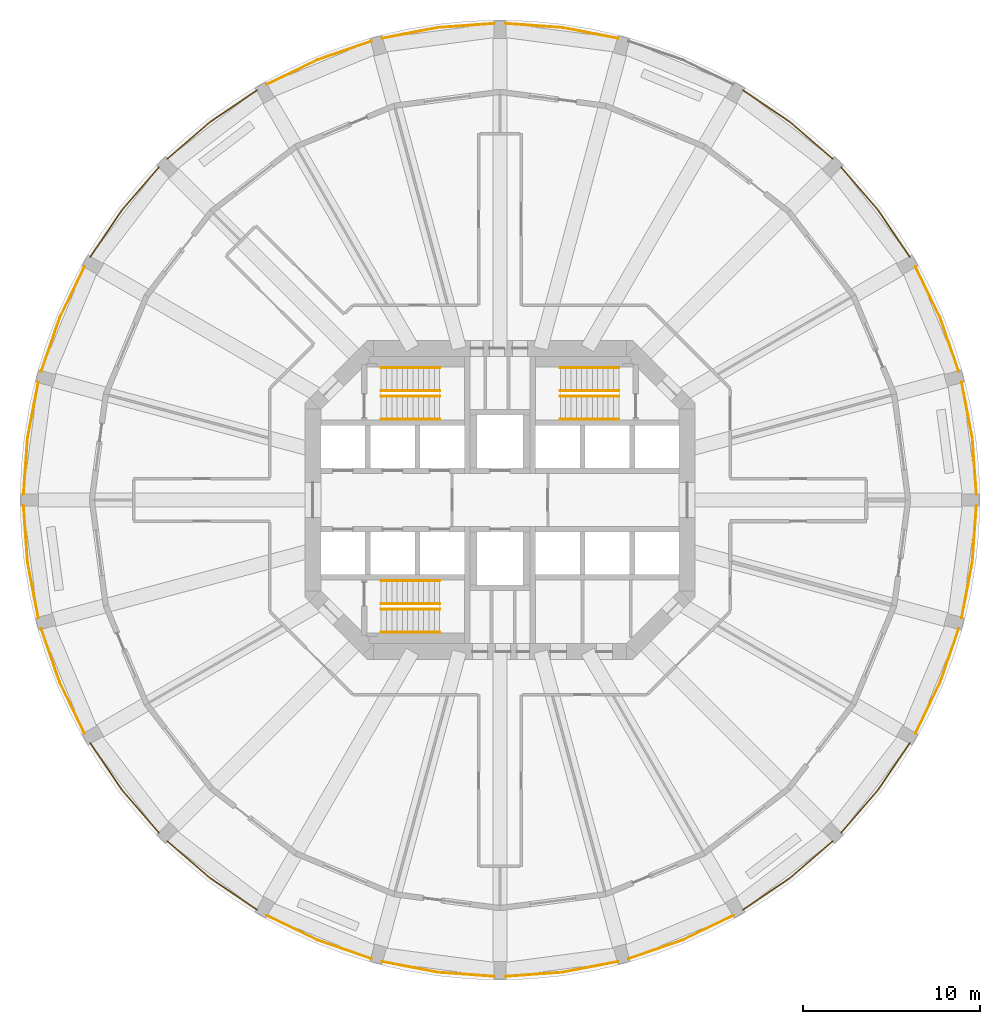
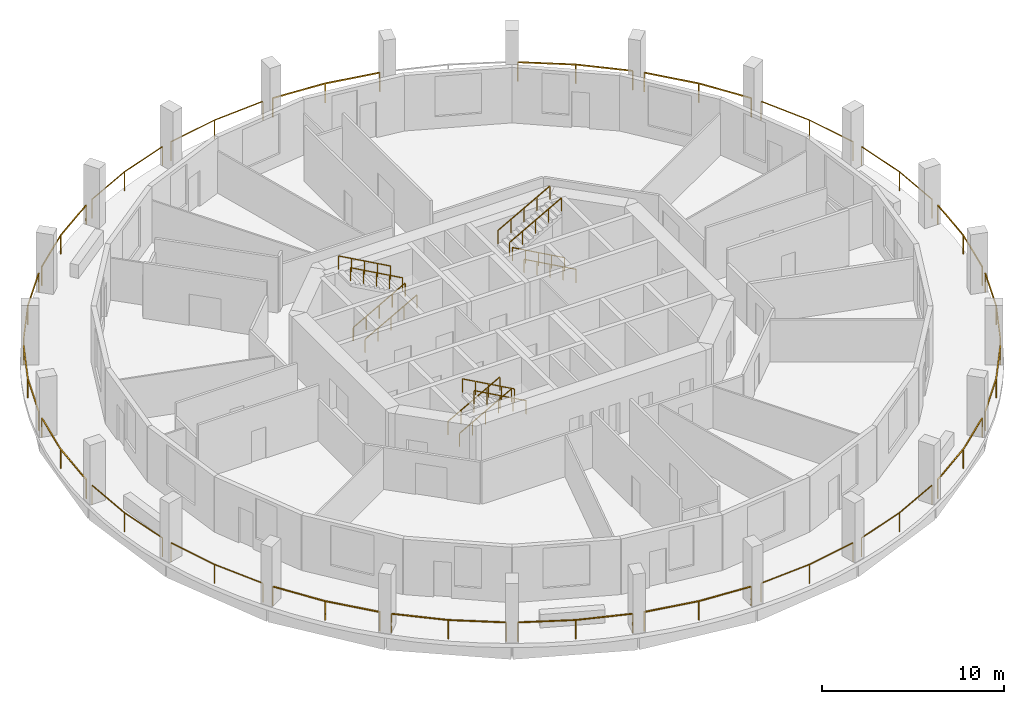
# One storey, part 8 of 9: 35 railings.
"""IFC4 building model written with IfcOpenShell, lengths in metres."""

from ifc_helpers import new_model, si_unit, direction, frame, origin, origin_2d, place, context, subcontext, project, spatial, rectangle, extrude, material, type_object, element, save


model = new_model("IFC4")

# Units and contexts
model_context = context("Model", 3, precision=1e-05, world=origin(), true_north=direction((0.0, 1.0)))
body_context = subcontext(model_context, "Body", "Model", "MODEL_VIEW")
ifc_project = project(units=[si_unit("LENGTHUNIT", "METRE"), si_unit("AREAUNIT", "SQUARE_METRE"), si_unit("VOLUMEUNIT", "CUBIC_METRE"), si_unit("PLANEANGLEUNIT", "RADIAN"), si_unit("MASSUNIT", "GRAM", prefix="KILO")], contexts=[model_context])

# Site, building, storey
site_placement = place(None, origin())
site = spatial("IfcSite", under=ifc_project, at=site_placement, CompositionType="ELEMENT")
building_placement = place(site_placement, origin())
building = spatial("IfcBuilding", under=site, at=building_placement, Name="Torre Triforio", CompositionType="ELEMENT")
storey_placement = place(building_placement, frame((0.0, 0.0, 75.0)))
storey = spatial("IfcBuildingStorey", under=building, at=storey_placement, Name="L16", CompositionType="ELEMENT", Elevation=75.0)

# Railings
ifc_material = material(Name="Stainless steel AISI 316", Category="steel")
railing_type_1 = type_object("IfcRailingType", Name="HANDRAIL 920", PredefinedType="HANDRAIL", material=ifc_material)
for number, where, name in (
    (1, (-6.699951171875, 4.550048828125, 0.166748046875), "Handrail ST1"),
    (2, (-6.699951171875, 5.85009765625, 0.166748046875), "Handrail ST1"),
):
    element("IfcRailing", number, at=place(storey_placement, frame(where)), inside=storey, type_object=railing_type_1, Name=name, PredefinedType="HANDRAIL", context=body_context, shape_type="SweptSolid", body=[
        extrude(rectangle(XDim=0.048095703125, YDim=0.048095703125, at=origin_2d()), frame((0.0, 0.0, 0.89599609375), z_axis=(0.874169478083, 0.0, 0.485620966999), x_axis=(0.0, 1.0, 0.0)), (0.0, 0.0, 1.0), 3.775146484375),
        extrude(rectangle(XDim=0.0419921875, YDim=0.0419921875, at=origin_2d()), origin(), (0.0, 0.0, 1.0), 0.871826171875),
        extrude(rectangle(XDim=0.0419921875, YDim=0.0419921875, at=origin_2d()), frame((0.824951171875, 0.0, 0.458251953125)), (0.0, 0.0, 1.0), 0.871826171875),
        extrude(rectangle(XDim=0.0419921875, YDim=0.0419921875, at=origin_2d()), frame((1.64990234375, 0.0, 0.91650390625)), (0.0, 0.0, 1.0), 0.871826171875),
        extrude(rectangle(XDim=0.0419921875, YDim=0.0419921875, at=origin_2d()), frame((2.47509765625, 0.0, 1.375)), (0.0, 0.0, 1.0), 0.871826171875),
        extrude(rectangle(XDim=0.0419921875, YDim=0.0419921875, at=origin_2d()), frame((3.300048828125, 0.0, 1.833251953125)), (0.0, 0.0, 1.0), 0.871826171875),
    ])
for number, where, name in (
    (3, (-3.39990234375, 7.449951171875, 2.166748046875), "Handrail ST1"),
    (4, (-3.39990234375, 6.14990234375, 2.166748046875), "Handrail ST1"),
    (5, (6.699951171875, 4.550048828125, 0.166748046875), "Handrail ST2"),
    (6, (6.699951171875, 5.85009765625, 0.166748046875), "Handrail ST2"),
):
    element("IfcRailing", number, at=place(storey_placement, frame(where)), inside=storey, type_object=railing_type_1, Name=name, PredefinedType="HANDRAIL", context=body_context, shape_type="SweptSolid", body=[
        extrude(rectangle(XDim=0.048095703125, YDim=0.048095703125, at=origin_2d()), frame((0.0, 0.0, 0.89599609375), z_axis=(-0.874169478083, 0.0, 0.485620966999), x_axis=(0.0, -1.0, 0.0)), (0.0, 0.0, 1.0), 3.775146484375),
        extrude(rectangle(XDim=0.0419921875, YDim=0.0419921875, at=origin_2d()), origin(), (0.0, 0.0, 1.0), 0.871826171875),
        extrude(rectangle(XDim=0.0419921875, YDim=0.0419921875, at=origin_2d()), frame((-0.824951171875, 0.0, 0.458251953125)), (0.0, 0.0, 1.0), 0.871826171875),
        extrude(rectangle(XDim=0.0419921875, YDim=0.0419921875, at=origin_2d()), frame((-1.64990234375, 0.0, 0.91650390625)), (0.0, 0.0, 1.0), 0.871826171875),
        extrude(rectangle(XDim=0.0419921875, YDim=0.0419921875, at=origin_2d()), frame((-2.47509765625, 0.0, 1.375)), (0.0, 0.0, 1.0), 0.871826171875),
        extrude(rectangle(XDim=0.0419921875, YDim=0.0419921875, at=origin_2d()), frame((-3.300048828125, 0.0, 1.833251953125)), (0.0, 0.0, 1.0), 0.871826171875),
    ])
for number, where, name in (
    (7, (3.39990234375, 7.449951171875, 2.166748046875), "Handrail ST2"),
    (8, (3.39990234375, 6.14990234375, 2.166748046875), "Handrail ST2"),
    (9, (-6.699951171875, -4.550048828125, 0.166748046875), "Handrail ST3"),
    (10, (-6.699951171875, -5.85009765625, 0.166748046875), "Handrail ST3"),
):
    element("IfcRailing", number, at=place(storey_placement, frame(where)), inside=storey, type_object=railing_type_1, Name=name, PredefinedType="HANDRAIL", context=body_context, shape_type="SweptSolid", body=[
        extrude(rectangle(XDim=0.048095703125, YDim=0.048095703125, at=origin_2d()), frame((0.0, 0.0, 0.89599609375), z_axis=(0.874169478083, 0.0, 0.485620966999), x_axis=(0.0, 1.0, 0.0)), (0.0, 0.0, 1.0), 3.775146484375),
        extrude(rectangle(XDim=0.0419921875, YDim=0.0419921875, at=origin_2d()), origin(), (0.0, 0.0, 1.0), 0.871826171875),
        extrude(rectangle(XDim=0.0419921875, YDim=0.0419921875, at=origin_2d()), frame((0.824951171875, 0.0, 0.458251953125)), (0.0, 0.0, 1.0), 0.871826171875),
        extrude(rectangle(XDim=0.0419921875, YDim=0.0419921875, at=origin_2d()), frame((1.64990234375, 0.0, 0.91650390625)), (0.0, 0.0, 1.0), 0.871826171875),
        extrude(rectangle(XDim=0.0419921875, YDim=0.0419921875, at=origin_2d()), frame((2.47509765625, 0.0, 1.375)), (0.0, 0.0, 1.0), 0.871826171875),
        extrude(rectangle(XDim=0.0419921875, YDim=0.0419921875, at=origin_2d()), frame((3.300048828125, 0.0, 1.833251953125)), (0.0, 0.0, 1.0), 0.871826171875),
    ])
for number, where, name in (
    (11, (-3.39990234375, -7.449951171875, 2.166748046875), "Handrail ST3"),
    (12, (-3.39990234375, -6.14990234375, 2.166748046875), "Handrail ST3"),
):
    element("IfcRailing", number, at=place(storey_placement, frame(where)), inside=storey, type_object=railing_type_1, Name=name, PredefinedType="HANDRAIL", context=body_context, shape_type="SweptSolid", body=[
        extrude(rectangle(XDim=0.048095703125, YDim=0.048095703125, at=origin_2d()), frame((0.0, 0.0, 0.89599609375), z_axis=(-0.874169478083, 0.0, 0.485620966999), x_axis=(0.0, -1.0, 0.0)), (0.0, 0.0, 1.0), 3.775146484375),
        extrude(rectangle(XDim=0.0419921875, YDim=0.0419921875, at=origin_2d()), origin(), (0.0, 0.0, 1.0), 0.871826171875),
        extrude(rectangle(XDim=0.0419921875, YDim=0.0419921875, at=origin_2d()), frame((-0.824951171875, 0.0, 0.458251953125)), (0.0, 0.0, 1.0), 0.871826171875),
        extrude(rectangle(XDim=0.0419921875, YDim=0.0419921875, at=origin_2d()), frame((-1.64990234375, 0.0, 0.91650390625)), (0.0, 0.0, 1.0), 0.871826171875),
        extrude(rectangle(XDim=0.0419921875, YDim=0.0419921875, at=origin_2d()), frame((-2.47509765625, 0.0, 1.375)), (0.0, 0.0, 1.0), 0.871826171875),
        extrude(rectangle(XDim=0.0419921875, YDim=0.0419921875, at=origin_2d()), frame((-3.300048828125, 0.0, 1.833251953125)), (0.0, 0.0, 1.0), 0.871826171875),
    ])
railing_type_2 = type_object("IfcRailingType", Name="Loggia guard 1300", PredefinedType="GUARDRAIL", material=ifc_material)
railing_1_placement = place(storey_placement, frame((26.85009765625, 0.320068359375, 0.0)))
element("IfcRailing", 13, at=railing_1_placement, inside=storey, type_object=railing_type_2, Name="Loggia guard L16 bay 01", PredefinedType="GUARDRAIL", context=body_context, shape_type="SweptSolid", body=[
    extrude(rectangle(XDim=0.050048828125, YDim=0.050048828125, at=origin_2d()), frame((0.0, 0.0, 1.27490234375), z_axis=(-0.071953458998, 0.997407990613, 0.0), x_axis=(-0.997407990613, -0.071953458998, 0.0)), (0.0, 0.0, 1.0), 3.19287109375),
    extrude(rectangle(XDim=0.050048828125, YDim=0.050048828125, at=origin_2d()), frame((-0.229736328125, 3.1845703125, 1.27490234375), z_axis=(-0.188714097365, 0.982032071501, 0.0), x_axis=(-0.982032071501, -0.188714097365, 0.0)), (0.0, 0.0, 1.0), 3.19287109375),
    extrude(rectangle(XDim=0.0400390625, YDim=0.0400390625, at=origin_2d()), origin(), (0.0, 0.0, 1.0), 1.25),
    extrude(rectangle(XDim=0.0400390625, YDim=0.0400390625, at=origin_2d()), frame((-0.229736328125, 3.1845703125, 0.0)), (0.0, 0.0, 1.0), 1.25),
    extrude(rectangle(XDim=0.0400390625, YDim=0.0400390625, at=origin_2d()), frame((-0.832275390625, 6.320068359375, 0.0)), (0.0, 0.0, 1.0), 1.25),
])
railing_2_placement = place(storey_placement, frame((25.852294921875, 7.25830078125, 0.0)))
element("IfcRailing", 14, at=railing_2_placement, inside=storey, type_object=railing_type_2, Name="Loggia guard L16 bay 02", PredefinedType="GUARDRAIL", context=body_context, shape_type="SweptSolid", body=[
    extrude(rectangle(XDim=0.050048828125, YDim=0.050048828125, at=origin_2d()), frame((0.0, 0.0, 1.27490234375), z_axis=(-0.327627852034, 0.94480685358, 0.0), x_axis=(-0.94480685358, -0.327627852034, 0.0)), (0.0, 0.0, 1.0), 3.193115234375),
    extrude(rectangle(XDim=0.050048828125, YDim=0.050048828125, at=origin_2d()), frame((-1.046142578125, 3.016845703125, 1.27490234375), z_axis=(-0.436384192305, 0.899760432952, 0.0), x_axis=(-0.899760432952, -0.436384192305, 0.0)), (0.0, 0.0, 1.0), 3.19287109375),
    extrude(rectangle(XDim=0.0400390625, YDim=0.0400390625, at=origin_2d()), origin(), (0.0, 0.0, 1.0), 1.25),
    extrude(rectangle(XDim=0.0400390625, YDim=0.0400390625, at=origin_2d()), frame((-1.046142578125, 3.016845703125, 0.0)), (0.0, 0.0, 1.0), 1.25),
    extrude(rectangle(XDim=0.0400390625, YDim=0.0400390625, at=origin_2d()), frame((-2.439453125, 5.8896484375, 0.0)), (0.0, 0.0, 1.0), 1.25),
])
railing_3_placement = place(storey_placement, frame((23.0927734375, 13.7021484375, 0.0)))
element("IfcRailing", 15, at=railing_3_placement, inside=storey, type_object=railing_type_2, Name="Loggia guard L16 bay 03", PredefinedType="GUARDRAIL", context=body_context, shape_type="SweptSolid", body=[
    extrude(rectangle(XDim=0.050048828125, YDim=0.050048828125, at=origin_2d()), frame((0.0, 0.0, 1.27490234375), z_axis=(-0.561018896338, 0.82780299465, 0.0), x_axis=(-0.82780299465, -0.561018896338, 0.0)), (0.0, 0.0, 1.0), 3.19287109375),
    extrude(rectangle(XDim=0.050048828125, YDim=0.050048828125, at=origin_2d()), frame((-1.791259765625, 2.64306640625, 1.27490234375), z_axis=(-0.654385993255, 0.756160678581, 0.0), x_axis=(-0.756160678581, -0.654385993255, 0.0)), (0.0, 0.0, 1.0), 3.19287109375),
    extrude(rectangle(XDim=0.0400390625, YDim=0.0400390625, at=origin_2d()), origin(), (0.0, 0.0, 1.0), 1.25),
    extrude(rectangle(XDim=0.0400390625, YDim=0.0400390625, at=origin_2d()), frame((-1.791259765625, 2.64306640625, 0.0)), (0.0, 0.0, 1.0), 1.25),
    extrude(rectangle(XDim=0.0400390625, YDim=0.0400390625, at=origin_2d()), frame((-3.880615234375, 5.057373046875, 0.0)), (0.0, 0.0, 1.0), 1.25),
])
railing_4_placement = place(storey_placement, frame((18.759521484375, 19.212158203125, 0.0)))
element("IfcRailing", 16, at=railing_4_placement, inside=storey, type_object=railing_type_2, Name="Loggia guard L16 bay 04", PredefinedType="GUARDRAIL", context=body_context, shape_type="SweptSolid", body=[
    extrude(rectangle(XDim=0.050048828125, YDim=0.050048828125, at=origin_2d()), frame((0.0, 0.0, 1.27490234375), z_axis=(-0.756160678581, 0.654385993255, 0.0), x_axis=(-0.654385993255, -0.756160678581, 0.0)), (0.0, 0.0, 1.0), 3.19287109375),
    extrude(rectangle(XDim=0.050048828125, YDim=0.050048828125, at=origin_2d()), frame((-2.414306640625, 2.08935546875, 1.27490234375), z_axis=(-0.82780299465, 0.561018896338, 0.0), x_axis=(-0.561018896338, -0.82780299465, 0.0)), (0.0, 0.0, 1.0), 3.19287109375),
    extrude(rectangle(XDim=0.0400390625, YDim=0.0400390625, at=origin_2d()), origin(), (0.0, 0.0, 1.0), 1.25),
    extrude(rectangle(XDim=0.0400390625, YDim=0.0400390625, at=origin_2d()), frame((-2.414306640625, 2.08935546875, 0.0)), (0.0, 0.0, 1.0), 1.25),
    extrude(rectangle(XDim=0.0400390625, YDim=0.0400390625, at=origin_2d()), frame((-5.057373046875, 3.880615234375, 0.0)), (0.0, 0.0, 1.0), 1.25),
])
railing_5_placement = place(storey_placement, frame((6.64013671875, 26.017822265625, 0.0)))
element("IfcRailing", 17, at=railing_5_placement, inside=storey, type_object=railing_type_2, Name="Loggia guard L16 bay 06", PredefinedType="GUARDRAIL", context=body_context, shape_type="SweptSolid", body=[
    extrude(rectangle(XDim=0.050048828125, YDim=0.050048828125, at=origin_2d()), frame((0.0, 0.0, 1.27490234375), z_axis=(-0.982032071501, 0.188714097365, 0.0), x_axis=(-0.188714097365, -0.982032071501, 0.0)), (0.0, 0.0, 1.0), 3.19287109375),
    extrude(rectangle(XDim=0.050048828125, YDim=0.050048828125, at=origin_2d()), frame((-3.135498046875, 0.6025390625, 1.27490234375), z_axis=(-0.997407990613, 0.071953458998, 0.0), x_axis=(-0.071953458998, -0.997407990613, 0.0)), (0.0, 0.0, 1.0), 3.19287109375),
    extrude(rectangle(XDim=0.0400390625, YDim=0.0400390625, at=origin_2d()), origin(), (0.0, 0.0, 1.0), 1.25),
    extrude(rectangle(XDim=0.0400390625, YDim=0.0400390625, at=origin_2d()), frame((-3.135498046875, 0.6025390625, 0.0)), (0.0, 0.0, 1.0), 1.25),
    extrude(rectangle(XDim=0.0400390625, YDim=0.0400390625, at=origin_2d()), frame((-6.320068359375, 0.832275390625, 0.0)), (0.0, 0.0, 1.0), 1.25),
])
railing_6_placement = place(storey_placement, frame((-0.320068359375, 26.85009765625, 0.0)))
element("IfcRailing", 18, at=railing_6_placement, inside=storey, type_object=railing_type_2, Name="Loggia guard L16 bay 07", PredefinedType="GUARDRAIL", context=body_context, shape_type="SweptSolid", body=[
    extrude(rectangle(XDim=0.050048828125, YDim=0.050048828125, at=origin_2d()), frame((0.0, 0.0, 1.27490234375), z_axis=(-0.997407990613, -0.071953458998, 0.0), x_axis=(0.071953458998, -0.997407990613, 0.0)), (0.0, 0.0, 1.0), 3.19287109375),
    extrude(rectangle(XDim=0.050048828125, YDim=0.050048828125, at=origin_2d()), frame((-3.1845703125, -0.229736328125, 1.27490234375), z_axis=(-0.982032071501, -0.188714097365, 0.0), x_axis=(0.188714097365, -0.982032071501, 0.0)), (0.0, 0.0, 1.0), 3.19287109375),
    extrude(rectangle(XDim=0.0400390625, YDim=0.0400390625, at=origin_2d()), origin(), (0.0, 0.0, 1.0), 1.25),
    extrude(rectangle(XDim=0.0400390625, YDim=0.0400390625, at=origin_2d()), frame((-3.1845703125, -0.229736328125, 0.0)), (0.0, 0.0, 1.0), 1.25),
    extrude(rectangle(XDim=0.0400390625, YDim=0.0400390625, at=origin_2d()), frame((-6.320068359375, -0.832275390625, 0.0)), (0.0, 0.0, 1.0), 1.25),
])
railing_7_placement = place(storey_placement, frame((-7.25830078125, 25.852294921875, 0.0)))
element("IfcRailing", 19, at=railing_7_placement, inside=storey, type_object=railing_type_2, Name="Loggia guard L16 bay 08", PredefinedType="GUARDRAIL", context=body_context, shape_type="SweptSolid", body=[
    extrude(rectangle(XDim=0.050048828125, YDim=0.050048828125, at=origin_2d()), frame((0.0, 0.0, 1.27490234375), z_axis=(-0.94480685358, -0.327627852034, 0.0), x_axis=(0.327627852034, -0.94480685358, 0.0)), (0.0, 0.0, 1.0), 3.193115234375),
    extrude(rectangle(XDim=0.050048828125, YDim=0.050048828125, at=origin_2d()), frame((-3.016845703125, -1.046142578125, 1.27490234375), z_axis=(-0.899760432952, -0.436384192305, 0.0), x_axis=(0.436384192305, -0.899760432952, 0.0)), (0.0, 0.0, 1.0), 3.19287109375),
    extrude(rectangle(XDim=0.0400390625, YDim=0.0400390625, at=origin_2d()), origin(), (0.0, 0.0, 1.0), 1.25),
    extrude(rectangle(XDim=0.0400390625, YDim=0.0400390625, at=origin_2d()), frame((-3.016845703125, -1.046142578125, 0.0)), (0.0, 0.0, 1.0), 1.25),
    extrude(rectangle(XDim=0.0400390625, YDim=0.0400390625, at=origin_2d()), frame((-5.8896484375, -2.439453125, 0.0)), (0.0, 0.0, 1.0), 1.25),
])
railing_8_placement = place(storey_placement, frame((-13.7021484375, 23.0927734375, 0.0)))
element("IfcRailing", 20, at=railing_8_placement, inside=storey, type_object=railing_type_2, Name="Loggia guard L16 bay 09", PredefinedType="GUARDRAIL", context=body_context, shape_type="SweptSolid", body=[
    extrude(rectangle(XDim=0.050048828125, YDim=0.050048828125, at=origin_2d()), frame((0.0, 0.0, 1.27490234375), z_axis=(-0.82780299465, -0.561018896338, 0.0), x_axis=(0.561018896338, -0.82780299465, 0.0)), (0.0, 0.0, 1.0), 3.19287109375),
    extrude(rectangle(XDim=0.050048828125, YDim=0.050048828125, at=origin_2d()), frame((-2.64306640625, -1.791259765625, 1.27490234375), z_axis=(-0.756160678581, -0.654385993255, 0.0), x_axis=(0.654385993255, -0.756160678581, 0.0)), (0.0, 0.0, 1.0), 3.19287109375),
    extrude(rectangle(XDim=0.0400390625, YDim=0.0400390625, at=origin_2d()), origin(), (0.0, 0.0, 1.0), 1.25),
    extrude(rectangle(XDim=0.0400390625, YDim=0.0400390625, at=origin_2d()), frame((-2.64306640625, -1.791259765625, 0.0)), (0.0, 0.0, 1.0), 1.25),
    extrude(rectangle(XDim=0.0400390625, YDim=0.0400390625, at=origin_2d()), frame((-5.057373046875, -3.880615234375, 0.0)), (0.0, 0.0, 1.0), 1.25),
])
railing_9_placement = place(storey_placement, frame((-19.212158203125, 18.759521484375, 0.0)))
element("IfcRailing", 21, at=railing_9_placement, inside=storey, type_object=railing_type_2, Name="Loggia guard L16 bay 10", PredefinedType="GUARDRAIL", context=body_context, shape_type="SweptSolid", body=[
    extrude(rectangle(XDim=0.050048828125, YDim=0.050048828125, at=origin_2d()), frame((0.0, 0.0, 1.27490234375), z_axis=(-0.654385993255, -0.756160678581, 0.0), x_axis=(0.756160678581, -0.654385993255, 0.0)), (0.0, 0.0, 1.0), 3.19287109375),
    extrude(rectangle(XDim=0.050048828125, YDim=0.050048828125, at=origin_2d()), frame((-2.08935546875, -2.414306640625, 1.27490234375), z_axis=(-0.561018896338, -0.82780299465, 0.0), x_axis=(0.82780299465, -0.561018896338, 0.0)), (0.0, 0.0, 1.0), 3.19287109375),
    extrude(rectangle(XDim=0.0400390625, YDim=0.0400390625, at=origin_2d()), origin(), (0.0, 0.0, 1.0), 1.25),
    extrude(rectangle(XDim=0.0400390625, YDim=0.0400390625, at=origin_2d()), frame((-2.08935546875, -2.414306640625, 0.0)), (0.0, 0.0, 1.0), 1.25),
    extrude(rectangle(XDim=0.0400390625, YDim=0.0400390625, at=origin_2d()), frame((-3.880615234375, -5.057373046875, 0.0)), (0.0, 0.0, 1.0), 1.25),
])
railing_10_placement = place(storey_placement, frame((-23.412841796875, 13.14794921875, 0.0)))
element("IfcRailing", 22, at=railing_10_placement, inside=storey, type_object=railing_type_2, Name="Loggia guard L16 bay 11", PredefinedType="GUARDRAIL", context=body_context, shape_type="SweptSolid", body=[
    extrude(rectangle(XDim=0.050048828125, YDim=0.050048828125, at=origin_2d()), frame((0.0, 0.0, 1.27490234375), z_axis=(-0.436384192305, -0.899760432952, 0.0), x_axis=(0.899760432952, -0.436384192305, 0.0)), (0.0, 0.0, 1.0), 3.19287109375),
    extrude(rectangle(XDim=0.050048828125, YDim=0.050048828125, at=origin_2d()), frame((-1.393310546875, -2.872802734375, 1.27490234375), z_axis=(-0.327627852034, -0.94480685358, 0.0), x_axis=(0.94480685358, -0.327627852034, 0.0)), (0.0, 0.0, 1.0), 3.193115234375),
    extrude(rectangle(XDim=0.0400390625, YDim=0.0400390625, at=origin_2d()), origin(), (0.0, 0.0, 1.0), 1.25),
    extrude(rectangle(XDim=0.0400390625, YDim=0.0400390625, at=origin_2d()), frame((-1.393310546875, -2.872802734375, 0.0)), (0.0, 0.0, 1.0), 1.25),
    extrude(rectangle(XDim=0.0400390625, YDim=0.0400390625, at=origin_2d()), frame((-2.439453125, -5.8896484375, 0.0)), (0.0, 0.0, 1.0), 1.25),
])
railing_11_placement = place(storey_placement, frame((-26.017822265625, 6.64013671875, 0.0)))
element("IfcRailing", 23, at=railing_11_placement, inside=storey, type_object=railing_type_2, Name="Loggia guard L16 bay 12", PredefinedType="GUARDRAIL", context=body_context, shape_type="SweptSolid", body=[
    extrude(rectangle(XDim=0.050048828125, YDim=0.050048828125, at=origin_2d()), frame((0.0, 0.0, 1.27490234375), z_axis=(-0.188714097365, -0.982032071501, 0.0), x_axis=(0.982032071501, -0.188714097365, 0.0)), (0.0, 0.0, 1.0), 3.19287109375),
    extrude(rectangle(XDim=0.050048828125, YDim=0.050048828125, at=origin_2d()), frame((-0.6025390625, -3.135498046875, 1.27490234375), z_axis=(-0.071953458998, -0.997407990613, 0.0), x_axis=(0.997407990613, -0.071953458998, 0.0)), (0.0, 0.0, 1.0), 3.19287109375),
    extrude(rectangle(XDim=0.0400390625, YDim=0.0400390625, at=origin_2d()), origin(), (0.0, 0.0, 1.0), 1.25),
    extrude(rectangle(XDim=0.0400390625, YDim=0.0400390625, at=origin_2d()), frame((-0.6025390625, -3.135498046875, 0.0)), (0.0, 0.0, 1.0), 1.25),
    extrude(rectangle(XDim=0.0400390625, YDim=0.0400390625, at=origin_2d()), frame((-0.832275390625, -6.320068359375, 0.0)), (0.0, 0.0, 1.0), 1.25),
])
railing_12_placement = place(storey_placement, frame((-26.85009765625, -0.320068359375, 0.0)))
element("IfcRailing", 24, at=railing_12_placement, inside=storey, type_object=railing_type_2, Name="Loggia guard L16 bay 13", PredefinedType="GUARDRAIL", context=body_context, shape_type="SweptSolid", body=[
    extrude(rectangle(XDim=0.050048828125, YDim=0.050048828125, at=origin_2d()), frame((0.0, 0.0, 1.27490234375), z_axis=(0.071953458998, -0.997407990613, 0.0), x_axis=(0.997407990613, 0.071953458998, 0.0)), (0.0, 0.0, 1.0), 3.19287109375),
    extrude(rectangle(XDim=0.050048828125, YDim=0.050048828125, at=origin_2d()), frame((0.229736328125, -3.1845703125, 1.27490234375), z_axis=(0.188714097365, -0.982032071501, 0.0), x_axis=(0.982032071501, 0.188714097365, 0.0)), (0.0, 0.0, 1.0), 3.19287109375),
    extrude(rectangle(XDim=0.0400390625, YDim=0.0400390625, at=origin_2d()), origin(), (0.0, 0.0, 1.0), 1.25),
    extrude(rectangle(XDim=0.0400390625, YDim=0.0400390625, at=origin_2d()), frame((0.229736328125, -3.1845703125, 0.0)), (0.0, 0.0, 1.0), 1.25),
    extrude(rectangle(XDim=0.0400390625, YDim=0.0400390625, at=origin_2d()), frame((0.832275390625, -6.320068359375, 0.0)), (0.0, 0.0, 1.0), 1.25),
])
railing_13_placement = place(storey_placement, frame((-25.852294921875, -7.25830078125, 0.0)))
element("IfcRailing", 25, at=railing_13_placement, inside=storey, type_object=railing_type_2, Name="Loggia guard L16 bay 14", PredefinedType="GUARDRAIL", context=body_context, shape_type="SweptSolid", body=[
    extrude(rectangle(XDim=0.050048828125, YDim=0.050048828125, at=origin_2d()), frame((0.0, 0.0, 1.27490234375), z_axis=(0.327627852034, -0.94480685358, 0.0), x_axis=(0.94480685358, 0.327627852034, 0.0)), (0.0, 0.0, 1.0), 3.193115234375),
    extrude(rectangle(XDim=0.050048828125, YDim=0.050048828125, at=origin_2d()), frame((1.046142578125, -3.016845703125, 1.27490234375), z_axis=(0.436384192305, -0.899760432952, 0.0), x_axis=(0.899760432952, 0.436384192305, 0.0)), (0.0, 0.0, 1.0), 3.19287109375),
    extrude(rectangle(XDim=0.0400390625, YDim=0.0400390625, at=origin_2d()), origin(), (0.0, 0.0, 1.0), 1.25),
    extrude(rectangle(XDim=0.0400390625, YDim=0.0400390625, at=origin_2d()), frame((1.046142578125, -3.016845703125, 0.0)), (0.0, 0.0, 1.0), 1.25),
    extrude(rectangle(XDim=0.0400390625, YDim=0.0400390625, at=origin_2d()), frame((2.439453125, -5.8896484375, 0.0)), (0.0, 0.0, 1.0), 1.25),
])
railing_14_placement = place(storey_placement, frame((-23.0927734375, -13.7021484375, 0.0)))
element("IfcRailing", 26, at=railing_14_placement, inside=storey, type_object=railing_type_2, Name="Loggia guard L16 bay 15", PredefinedType="GUARDRAIL", context=body_context, shape_type="SweptSolid", body=[
    extrude(rectangle(XDim=0.050048828125, YDim=0.050048828125, at=origin_2d()), frame((0.0, 0.0, 1.27490234375), z_axis=(0.561018896338, -0.82780299465, 0.0), x_axis=(0.82780299465, 0.561018896338, 0.0)), (0.0, 0.0, 1.0), 3.19287109375),
    extrude(rectangle(XDim=0.050048828125, YDim=0.050048828125, at=origin_2d()), frame((1.791259765625, -2.64306640625, 1.27490234375), z_axis=(0.654385993255, -0.756160678581, 0.0), x_axis=(0.756160678581, 0.654385993255, 0.0)), (0.0, 0.0, 1.0), 3.19287109375),
    extrude(rectangle(XDim=0.0400390625, YDim=0.0400390625, at=origin_2d()), origin(), (0.0, 0.0, 1.0), 1.25),
    extrude(rectangle(XDim=0.0400390625, YDim=0.0400390625, at=origin_2d()), frame((1.791259765625, -2.64306640625, 0.0)), (0.0, 0.0, 1.0), 1.25),
    extrude(rectangle(XDim=0.0400390625, YDim=0.0400390625, at=origin_2d()), frame((3.880615234375, -5.057373046875, 0.0)), (0.0, 0.0, 1.0), 1.25),
])
railing_15_placement = place(storey_placement, frame((-18.759521484375, -19.212158203125, 0.0)))
element("IfcRailing", 27, at=railing_15_placement, inside=storey, type_object=railing_type_2, Name="Loggia guard L16 bay 16", PredefinedType="GUARDRAIL", context=body_context, shape_type="SweptSolid", body=[
    extrude(rectangle(XDim=0.050048828125, YDim=0.050048828125, at=origin_2d()), frame((0.0, 0.0, 1.27490234375), z_axis=(0.756160678581, -0.654385993255, 0.0), x_axis=(0.654385993255, 0.756160678581, 0.0)), (0.0, 0.0, 1.0), 3.19287109375),
    extrude(rectangle(XDim=0.050048828125, YDim=0.050048828125, at=origin_2d()), frame((2.414306640625, -2.08935546875, 1.27490234375), z_axis=(0.82780299465, -0.561018896338, 0.0), x_axis=(0.561018896338, 0.82780299465, 0.0)), (0.0, 0.0, 1.0), 3.19287109375),
    extrude(rectangle(XDim=0.0400390625, YDim=0.0400390625, at=origin_2d()), origin(), (0.0, 0.0, 1.0), 1.25),
    extrude(rectangle(XDim=0.0400390625, YDim=0.0400390625, at=origin_2d()), frame((2.414306640625, -2.08935546875, 0.0)), (0.0, 0.0, 1.0), 1.25),
    extrude(rectangle(XDim=0.0400390625, YDim=0.0400390625, at=origin_2d()), frame((5.057373046875, -3.880615234375, 0.0)), (0.0, 0.0, 1.0), 1.25),
])
railing_16_placement = place(storey_placement, frame((-13.14794921875, -23.412841796875, 0.0)))
element("IfcRailing", 28, at=railing_16_placement, inside=storey, type_object=railing_type_2, Name="Loggia guard L16 bay 17", PredefinedType="GUARDRAIL", context=body_context, shape_type="SweptSolid", body=[
    extrude(rectangle(XDim=0.050048828125, YDim=0.050048828125, at=origin_2d()), frame((0.0, 0.0, 1.27490234375), z_axis=(0.899760432952, -0.436384192305, 0.0), x_axis=(0.436384192305, 0.899760432952, 0.0)), (0.0, 0.0, 1.0), 3.19287109375),
    extrude(rectangle(XDim=0.050048828125, YDim=0.050048828125, at=origin_2d()), frame((2.872802734375, -1.393310546875, 1.27490234375), z_axis=(0.94480685358, -0.327627852034, 0.0), x_axis=(0.327627852034, 0.94480685358, 0.0)), (0.0, 0.0, 1.0), 3.193115234375),
    extrude(rectangle(XDim=0.0400390625, YDim=0.0400390625, at=origin_2d()), origin(), (0.0, 0.0, 1.0), 1.25),
    extrude(rectangle(XDim=0.0400390625, YDim=0.0400390625, at=origin_2d()), frame((2.872802734375, -1.393310546875, 0.0)), (0.0, 0.0, 1.0), 1.25),
    extrude(rectangle(XDim=0.0400390625, YDim=0.0400390625, at=origin_2d()), frame((5.8896484375, -2.439453125, 0.0)), (0.0, 0.0, 1.0), 1.25),
])
railing_17_placement = place(storey_placement, frame((-6.64013671875, -26.017822265625, 0.0)))
element("IfcRailing", 29, at=railing_17_placement, inside=storey, type_object=railing_type_2, Name="Loggia guard L16 bay 18", PredefinedType="GUARDRAIL", context=body_context, shape_type="SweptSolid", body=[
    extrude(rectangle(XDim=0.050048828125, YDim=0.050048828125, at=origin_2d()), frame((0.0, 0.0, 1.27490234375), z_axis=(0.982032071501, -0.188714097365, 0.0), x_axis=(0.188714097365, 0.982032071501, 0.0)), (0.0, 0.0, 1.0), 3.19287109375),
    extrude(rectangle(XDim=0.050048828125, YDim=0.050048828125, at=origin_2d()), frame((3.135498046875, -0.6025390625, 1.27490234375), z_axis=(0.997407990613, -0.071953458998, 0.0), x_axis=(0.071953458998, 0.997407990613, 0.0)), (0.0, 0.0, 1.0), 3.19287109375),
    extrude(rectangle(XDim=0.0400390625, YDim=0.0400390625, at=origin_2d()), origin(), (0.0, 0.0, 1.0), 1.25),
    extrude(rectangle(XDim=0.0400390625, YDim=0.0400390625, at=origin_2d()), frame((3.135498046875, -0.6025390625, 0.0)), (0.0, 0.0, 1.0), 1.25),
    extrude(rectangle(XDim=0.0400390625, YDim=0.0400390625, at=origin_2d()), frame((6.320068359375, -0.832275390625, 0.0)), (0.0, 0.0, 1.0), 1.25),
])
railing_18_placement = place(storey_placement, frame((0.320068359375, -26.85009765625, 0.0)))
element("IfcRailing", 30, at=railing_18_placement, inside=storey, type_object=railing_type_2, Name="Loggia guard L16 bay 19", PredefinedType="GUARDRAIL", context=body_context, shape_type="SweptSolid", body=[
    extrude(rectangle(XDim=0.050048828125, YDim=0.050048828125, at=origin_2d()), frame((0.0, 0.0, 1.27490234375), z_axis=(0.997407990613, 0.071953458998, 0.0), x_axis=(-0.071953458998, 0.997407990613, 0.0)), (0.0, 0.0, 1.0), 3.19287109375),
    extrude(rectangle(XDim=0.050048828125, YDim=0.050048828125, at=origin_2d()), frame((3.1845703125, 0.229736328125, 1.27490234375), z_axis=(0.982032071501, 0.188714097365, 0.0), x_axis=(-0.188714097365, 0.982032071501, 0.0)), (0.0, 0.0, 1.0), 3.19287109375),
    extrude(rectangle(XDim=0.0400390625, YDim=0.0400390625, at=origin_2d()), origin(), (0.0, 0.0, 1.0), 1.25),
    extrude(rectangle(XDim=0.0400390625, YDim=0.0400390625, at=origin_2d()), frame((3.1845703125, 0.229736328125, 0.0)), (0.0, 0.0, 1.0), 1.25),
    extrude(rectangle(XDim=0.0400390625, YDim=0.0400390625, at=origin_2d()), frame((6.320068359375, 0.832275390625, 0.0)), (0.0, 0.0, 1.0), 1.25),
])
railing_19_placement = place(storey_placement, frame((7.25830078125, -25.852294921875, 0.0)))
element("IfcRailing", 31, at=railing_19_placement, inside=storey, type_object=railing_type_2, Name="Loggia guard L16 bay 20", PredefinedType="GUARDRAIL", context=body_context, shape_type="SweptSolid", body=[
    extrude(rectangle(XDim=0.050048828125, YDim=0.050048828125, at=origin_2d()), frame((0.0, 0.0, 1.27490234375), z_axis=(0.94480685358, 0.327627852034, 0.0), x_axis=(-0.327627852034, 0.94480685358, 0.0)), (0.0, 0.0, 1.0), 3.193115234375),
    extrude(rectangle(XDim=0.050048828125, YDim=0.050048828125, at=origin_2d()), frame((3.016845703125, 1.046142578125, 1.27490234375), z_axis=(0.899760432952, 0.436384192305, 0.0), x_axis=(-0.436384192305, 0.899760432952, 0.0)), (0.0, 0.0, 1.0), 3.19287109375),
    extrude(rectangle(XDim=0.0400390625, YDim=0.0400390625, at=origin_2d()), origin(), (0.0, 0.0, 1.0), 1.25),
    extrude(rectangle(XDim=0.0400390625, YDim=0.0400390625, at=origin_2d()), frame((3.016845703125, 1.046142578125, 0.0)), (0.0, 0.0, 1.0), 1.25),
    extrude(rectangle(XDim=0.0400390625, YDim=0.0400390625, at=origin_2d()), frame((5.8896484375, 2.439453125, 0.0)), (0.0, 0.0, 1.0), 1.25),
])
railing_20_placement = place(storey_placement, frame((13.7021484375, -23.0927734375, 0.0)))
element("IfcRailing", 32, at=railing_20_placement, inside=storey, type_object=railing_type_2, Name="Loggia guard L16 bay 21", PredefinedType="GUARDRAIL", context=body_context, shape_type="SweptSolid", body=[
    extrude(rectangle(XDim=0.050048828125, YDim=0.050048828125, at=origin_2d()), frame((0.0, 0.0, 1.27490234375), z_axis=(0.82780299465, 0.561018896338, 0.0), x_axis=(-0.561018896338, 0.82780299465, 0.0)), (0.0, 0.0, 1.0), 3.19287109375),
    extrude(rectangle(XDim=0.050048828125, YDim=0.050048828125, at=origin_2d()), frame((2.64306640625, 1.791259765625, 1.27490234375), z_axis=(0.756160678581, 0.654385993255, 0.0), x_axis=(-0.654385993255, 0.756160678581, 0.0)), (0.0, 0.0, 1.0), 3.19287109375),
    extrude(rectangle(XDim=0.0400390625, YDim=0.0400390625, at=origin_2d()), origin(), (0.0, 0.0, 1.0), 1.25),
    extrude(rectangle(XDim=0.0400390625, YDim=0.0400390625, at=origin_2d()), frame((2.64306640625, 1.791259765625, 0.0)), (0.0, 0.0, 1.0), 1.25),
    extrude(rectangle(XDim=0.0400390625, YDim=0.0400390625, at=origin_2d()), frame((5.057373046875, 3.880615234375, 0.0)), (0.0, 0.0, 1.0), 1.25),
])
railing_21_placement = place(storey_placement, frame((19.212158203125, -18.759521484375, 0.0)))
element("IfcRailing", 33, at=railing_21_placement, inside=storey, type_object=railing_type_2, Name="Loggia guard L16 bay 22", PredefinedType="GUARDRAIL", context=body_context, shape_type="SweptSolid", body=[
    extrude(rectangle(XDim=0.050048828125, YDim=0.050048828125, at=origin_2d()), frame((0.0, 0.0, 1.27490234375), z_axis=(0.654385993255, 0.756160678581, 0.0), x_axis=(-0.756160678581, 0.654385993255, 0.0)), (0.0, 0.0, 1.0), 3.19287109375),
    extrude(rectangle(XDim=0.050048828125, YDim=0.050048828125, at=origin_2d()), frame((2.08935546875, 2.414306640625, 1.27490234375), z_axis=(0.561018896338, 0.82780299465, 0.0), x_axis=(-0.82780299465, 0.561018896338, 0.0)), (0.0, 0.0, 1.0), 3.19287109375),
    extrude(rectangle(XDim=0.0400390625, YDim=0.0400390625, at=origin_2d()), origin(), (0.0, 0.0, 1.0), 1.25),
    extrude(rectangle(XDim=0.0400390625, YDim=0.0400390625, at=origin_2d()), frame((2.08935546875, 2.414306640625, 0.0)), (0.0, 0.0, 1.0), 1.25),
    extrude(rectangle(XDim=0.0400390625, YDim=0.0400390625, at=origin_2d()), frame((3.880615234375, 5.057373046875, 0.0)), (0.0, 0.0, 1.0), 1.25),
])
railing_22_placement = place(storey_placement, frame((23.412841796875, -13.14794921875, 0.0)))
element("IfcRailing", 34, at=railing_22_placement, inside=storey, type_object=railing_type_2, Name="Loggia guard L16 bay 23", PredefinedType="GUARDRAIL", context=body_context, shape_type="SweptSolid", body=[
    extrude(rectangle(XDim=0.050048828125, YDim=0.050048828125, at=origin_2d()), frame((0.0, 0.0, 1.27490234375), z_axis=(0.436384192305, 0.899760432952, 0.0), x_axis=(-0.899760432952, 0.436384192305, 0.0)), (0.0, 0.0, 1.0), 3.19287109375),
    extrude(rectangle(XDim=0.050048828125, YDim=0.050048828125, at=origin_2d()), frame((1.393310546875, 2.872802734375, 1.27490234375), z_axis=(0.327627852034, 0.94480685358, 0.0), x_axis=(-0.94480685358, 0.327627852034, 0.0)), (0.0, 0.0, 1.0), 3.193115234375),
    extrude(rectangle(XDim=0.0400390625, YDim=0.0400390625, at=origin_2d()), origin(), (0.0, 0.0, 1.0), 1.25),
    extrude(rectangle(XDim=0.0400390625, YDim=0.0400390625, at=origin_2d()), frame((1.393310546875, 2.872802734375, 0.0)), (0.0, 0.0, 1.0), 1.25),
    extrude(rectangle(XDim=0.0400390625, YDim=0.0400390625, at=origin_2d()), frame((2.439453125, 5.8896484375, 0.0)), (0.0, 0.0, 1.0), 1.25),
])
railing_23_placement = place(storey_placement, frame((26.017822265625, -6.64013671875, 0.0)))
element("IfcRailing", 35, at=railing_23_placement, inside=storey, type_object=railing_type_2, Name="Loggia guard L16 bay 24", PredefinedType="GUARDRAIL", context=body_context, shape_type="SweptSolid", body=[
    extrude(rectangle(XDim=0.050048828125, YDim=0.050048828125, at=origin_2d()), frame((0.0, 0.0, 1.27490234375), z_axis=(0.188714097365, 0.982032071501, 0.0), x_axis=(-0.982032071501, 0.188714097365, 0.0)), (0.0, 0.0, 1.0), 3.19287109375),
    extrude(rectangle(XDim=0.050048828125, YDim=0.050048828125, at=origin_2d()), frame((0.6025390625, 3.135498046875, 1.27490234375), z_axis=(0.071953458998, 0.997407990613, 0.0), x_axis=(-0.997407990613, 0.071953458998, 0.0)), (0.0, 0.0, 1.0), 3.19287109375),
    extrude(rectangle(XDim=0.0400390625, YDim=0.0400390625, at=origin_2d()), origin(), (0.0, 0.0, 1.0), 1.25),
    extrude(rectangle(XDim=0.0400390625, YDim=0.0400390625, at=origin_2d()), frame((0.6025390625, 3.135498046875, 0.0)), (0.0, 0.0, 1.0), 1.25),
    extrude(rectangle(XDim=0.0400390625, YDim=0.0400390625, at=origin_2d()), frame((0.832275390625, 6.320068359375, 0.0)), (0.0, 0.0, 1.0), 1.25),
])

save(model, "model.ifc")
